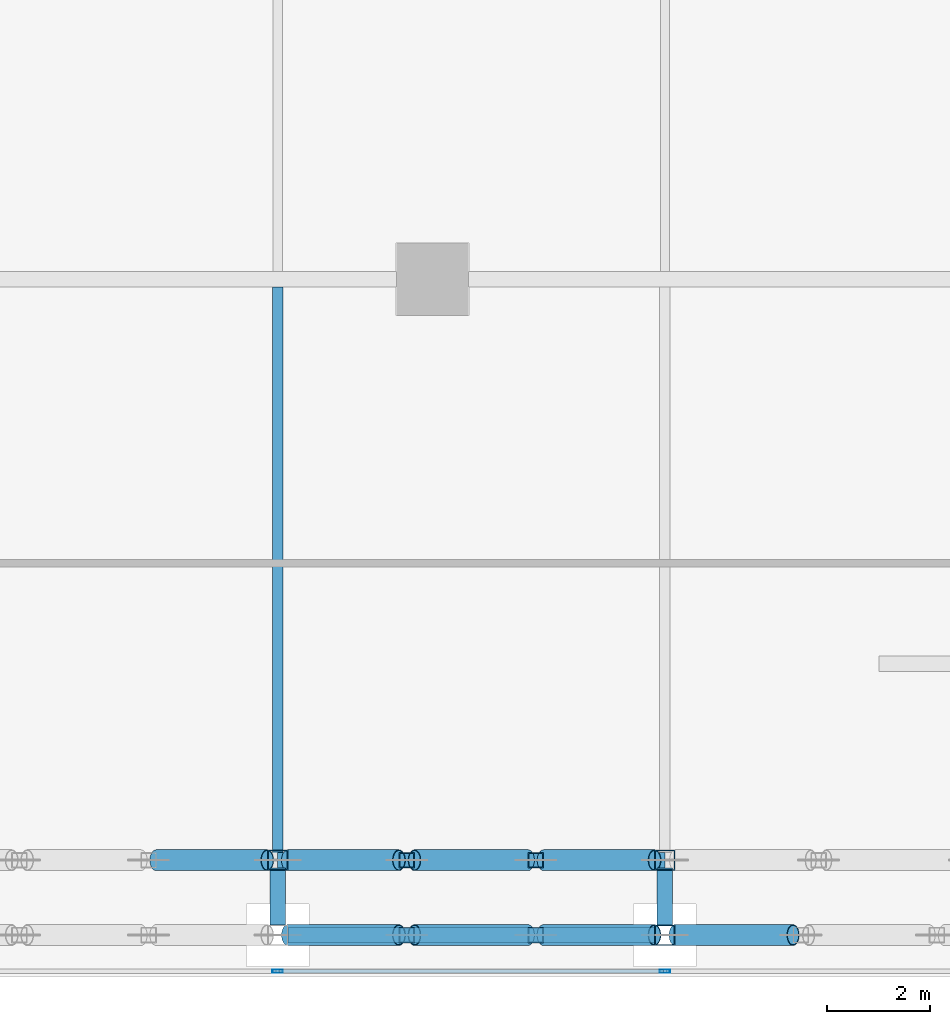
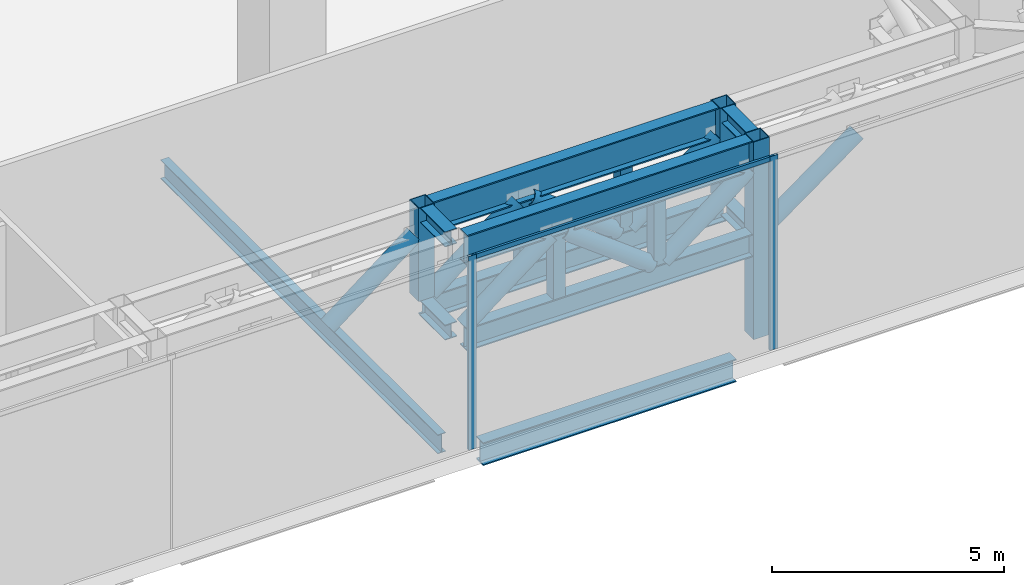
# One storey, part 8 of 39: 22 members, 6 beams, 1 element without a shape of its own.
"""IFC4 building model written with IfcOpenShell, lengths in metres."""

from ifc_helpers import new_model, si_unit, direction, frame, origin, origin_2d, place, context, subcontext, project, spatial, hollow_rectangle, hollow_circle, i_section, extrude, source, transform, mapped, material, material_profile, profile_set, type_object, element, aggregate, save


model = new_model("IFC4")

# Units and contexts
model_context = context("Model", 3, precision=1e-05, world=origin(), true_north=direction((0.0, 1.0)))
body_context = subcontext(model_context, "Body", "Model", "MODEL_VIEW")
ifc_project = project(units=[si_unit("LENGTHUNIT", "METRE"), si_unit("AREAUNIT", "SQUARE_METRE"), si_unit("VOLUMEUNIT", "CUBIC_METRE"), si_unit("PLANEANGLEUNIT", "RADIAN"), si_unit("MASSUNIT", "GRAM", prefix="KILO")], contexts=[model_context])

# Site, building, storey
site_placement = place(None, origin())
site = spatial("IfcSite", under=ifc_project, at=site_placement, CompositionType="ELEMENT")
building_placement = place(site_placement, origin())
building = spatial("IfcBuilding", under=site, at=building_placement, Name="Khomas Fold Tower", CompositionType="ELEMENT")
storey_placement = place(building_placement, frame((0.0, 0.0, 96.0)))
storey = spatial("IfcBuildingStorey", under=building, at=storey_placement, Name="L20", CompositionType="ELEMENT", Elevation=96.0)

# Beams
ifc_material_1 = material(Name="Steel S355", Category="steel")
ifc_material_profile_1 = material_profile(ifc_material_1, i_section(OverallWidth=0.300048828125, OverallDepth=0.60009765625, WebThickness=0.015380859375, FlangeThickness=0.030029296875, at=origin_2d()), Name="HE 600 B")
ifc_profile_set_1 = profile_set([ifc_material_profile_1], Name="Steel S355")
beam_type_1 = type_object("IfcBeamType", Name="HE 600 B spandrel SB1", PredefinedType="SPANDREL", material=ifc_profile_set_1)
shared_shape_1 = source(origin(), body_context, "Body", "SweptSolid", [
    extrude(i_section(OverallWidth=0.300048828125, OverallDepth=0.60009765625, WebThickness=0.015380859375, FlangeThickness=0.030029296875, at=origin_2d()), origin(), (0.0, 0.0, 1.0), 6.2998046875),
])
beam_1_placement = place(storey_placement, frame((35.10009765625, 0.800048828125, -0.699951171875), z_axis=(1.0, 0.0, 0.0), x_axis=(0.0, 1.0, 0.0)))
element("IfcBeam", 1, at=beam_1_placement, inside=storey, type_object=beam_type_1, Name="SB1", PredefinedType="SPANDREL", context=body_context, shape_type="MappedRepresentation", body=[
    mapped(shared_shape_1, transform((0.0, 0.0, 0.0))),
])
ifc_material_2 = material(Name="Steel S355", Category="steel")
ifc_material_profile_2 = material_profile(ifc_material_2, i_section(OverallWidth=0.199951171875, OverallDepth=0.5, WebThickness=0.01025390625, FlangeThickness=0.01611328125, at=origin_2d()), Name="IPE 500")
ifc_profile_set_2 = profile_set([ifc_material_profile_2], Name="Steel S355")
beam_type_2 = type_object("IfcBeamType", Name="IPE 500 beam JB5", PredefinedType="BEAM", material=ifc_profile_set_2)
shared_shape_2 = source(origin(), body_context, "Body", "SweptSolid", [
    extrude(i_section(OverallWidth=0.199951171875, OverallDepth=0.5, WebThickness=0.01025390625, FlangeThickness=0.01611328125, at=origin_2d()), origin(), (0.0, 0.0, 1.0), 11.9501953125),
])
beam_2_placement = place(storey_placement, frame((34.5, 1.39990234375, -0.64990234375), z_axis=(0.0, 1.0, 0.0), x_axis=(-1.0, 0.0, 0.0)))
element("IfcBeam", 2, at=beam_2_placement, inside=storey, type_object=beam_type_2, Name="JB5", PredefinedType="BEAM", context=body_context, shape_type="MappedRepresentation", body=[
    mapped(shared_shape_2, transform((0.0, 0.0, 0.0))),
])

# Members
ifc_material_3 = material(Name="Steel S355", Category="steel")
ifc_material_profile_3 = material_profile(ifc_material_3, i_section(OverallWidth=0.300048828125, OverallDepth=0.60009765625, WebThickness=0.015380859375, FlangeThickness=0.030029296875, at=origin_2d()), Name="HE 600 B")
ifc_profile_set_3 = profile_set([ifc_material_profile_3], Name="Steel S355")
member_type_1 = type_object("IfcMemberType", Name="BELT TRUSS 1 BOTTOM CHORD HE 600 B", PredefinedType="CHORD", material=ifc_profile_set_3)
shared_shape_3 = source(origin(), body_context, "Body", "SweptSolid", [
    extrude(i_section(OverallWidth=0.300048828125, OverallDepth=0.60009765625, WebThickness=0.015380859375, FlangeThickness=0.030029296875, at=origin_2d()), origin(), (0.0, 0.0, 1.0), 7.5),
])
member_1_placement = place(storey_placement, frame((34.5, 2.25, 2.449951171875), z_axis=(1.0, 0.0, 0.0), x_axis=(0.0, 1.0, 0.0)))
element("IfcMember", 3, at=member_1_placement, inside=storey, type_object=member_type_1, Name="BT1-CB", PredefinedType="CHORD", context=body_context, shape_type="MappedRepresentation", body=[
    mapped(shared_shape_3, transform((0.0, 0.0, 0.0))),
])
ifc_material_4 = material(Name="Steel S355", Category="steel")
ifc_material_profile_4 = material_profile(ifc_material_4, hollow_circle(Radius=0.203125, WallThickness=0.01611328125, at=origin_2d()), Name="CHS 406.4x16")
ifc_profile_set_4 = profile_set([ifc_material_profile_4], Name="Steel S355")
member_type_2 = type_object("IfcMemberType", Name="BELT TRUSS 1 DIAGONAL CHS 406.4x16", PredefinedType="BRACE", material=ifc_profile_set_4)
shared_shape_4 = source(origin(), body_context, "Body", "SweptSolid", [
    extrude(hollow_circle(Radius=0.203125, WallThickness=0.01611328125, at=origin_2d()), origin(), (0.0, 0.0, 1.0), 2.822998046875),
])
member_2_placement = place(storey_placement, frame((42.199951171875, 0.800048828125, 2.7451171875), z_axis=(0.808866956084, 0.0, 0.587991706876), x_axis=(0.0, 1.0, 0.0)))
element("IfcMember", 4, at=member_2_placement, inside=storey, type_object=member_type_2, Name="BT1-D", PredefinedType="BRACE", context=body_context, shape_type="MappedRepresentation", body=[
    mapped(shared_shape_4, transform((0.0, 0.0, 0.0))),
])
ifc_material_5 = material(Name="Steel S355", Category="steel")
ifc_material_profile_5 = material_profile(ifc_material_5, hollow_rectangle(XDim=0.300048828125, YDim=0.300048828125, WallThickness=0.01611328125, at=origin_2d()), Name="SHS 300x300x16")
ifc_profile_set_5 = profile_set([ifc_material_profile_5], Name="Steel S355")
member_type_3 = type_object("IfcMemberType", Name="BELT TRUSS 1 MID POST SHS 300x300x16", PredefinedType="POST", material=ifc_profile_set_5)
shared_shape_5 = source(origin(), body_context, "Body", "SweptSolid", [
    extrude(hollow_rectangle(XDim=0.300048828125, YDim=0.300048828125, WallThickness=0.01611328125, at=origin_2d()), origin(), (0.0, 0.0, 1.0), 1.64990234375),
])
for number, where, z_axis, x_axis, name in (
    (5, (37.0, 0.800048828125, 2.75), (0.0, 0.0, 1.0), (1.0, 0.0, 0.0), "BT1-M"),
    (6, (39.5, 0.800048828125, 2.75), (0.0, 0.0, 1.0), (1.0, 0.0, 0.0), "BT1-M"),
    (7, (37.0, 2.25, 2.75), (0.0, 0.0, 1.0), (1.0, 0.0, 0.0), "BT1-M"),
    (8, (39.5, 2.25, 2.75), (0.0, 0.0, 1.0), (1.0, 0.0, 0.0), "BT1-M"),
):
    element("IfcMember", number, at=place(storey_placement, frame(where, z_axis=z_axis, x_axis=x_axis)), inside=storey, type_object=member_type_3, Name=name, PredefinedType="POST", context=body_context, shape_type="MappedRepresentation", body=[
        mapped(shared_shape_5, transform((0.0, 0.0, 0.0))),
    ])
ifc_material_6 = material(Name="Steel S460M", Category="steel")
ifc_material_profile_6 = material_profile(ifc_material_6, i_section(OverallWidth=0.300048828125, OverallDepth=0.800048828125, WebThickness=0.017578125, FlangeThickness=0.032958984375, at=origin_2d()), Name="HE 800 B")
ifc_profile_set_6 = profile_set([ifc_material_profile_6], Name="Steel S460M")
member_type_4 = type_object("IfcMemberType", Name="BELT TRUSS 1 TOP CHORD HE 800 B", PredefinedType="CHORD", material=ifc_profile_set_6)
shared_shape_6 = source(origin(), body_context, "Body", "SweptSolid", [
    extrude(i_section(OverallWidth=0.300048828125, OverallDepth=0.800048828125, WebThickness=0.017578125, FlangeThickness=0.032958984375, at=origin_2d()), origin(), (0.0, 0.0, 1.0), 7.10009765625),
])
for number, where, z_axis, x_axis, name in (
    (9, (34.699951171875, 0.800048828125, 4.800048828125), (1.0, 0.0, 0.0), (0.0, 1.0, 0.0), "BT1-CT"),
    (10, (34.699951171875, 2.25, 4.800048828125), (1.0, 0.0, 0.0), (0.0, 1.0, 0.0), "BT1-CT"),
):
    element("IfcMember", number, at=place(storey_placement, frame(where, z_axis=z_axis, x_axis=x_axis)), inside=storey, type_object=member_type_4, Name=name, PredefinedType="CHORD", context=body_context, shape_type="MappedRepresentation", body=[
        mapped(shared_shape_6, transform((0.0, 0.0, 0.0))),
    ])
shared_shape_7 = source(origin(), body_context, "Body", "SweptSolid", [
    extrude(i_section(OverallWidth=0.300048828125, OverallDepth=0.60009765625, WebThickness=0.015380859375, FlangeThickness=0.030029296875, at=origin_2d()), origin(), (0.0, 0.0, 1.0), 7.10009765625),
])
member_3_placement = place(storey_placement, frame((34.699951171875, 0.800048828125, 2.449951171875), z_axis=(1.0, 0.0, 0.0), x_axis=(0.0, 1.0, 0.0)))
element("IfcMember", 11, at=member_3_placement, inside=storey, type_object=member_type_1, Name="BT1-CB", PredefinedType="CHORD", context=body_context, shape_type="MappedRepresentation", body=[
    mapped(shared_shape_7, transform((0.0, 0.0, 0.0))),
])
shared_shape_8 = source(origin(), body_context, "Body", "SweptSolid", [
    extrude(hollow_circle(Radius=0.203125, WallThickness=0.01611328125, at=origin_2d()), origin(), (0.0, 0.0, 1.0), 2.71630859375),
])
for number, where, z_axis, x_axis, name in (
    (12, (34.699951171875, 0.800048828125, 2.7451171875), (0.791563625226, 0.0, 0.611086759159), (0.0, 1.0, 0.0), "BT1-D"),
    (13, (39.64990234375, 0.800048828125, 2.7451171875), (0.791563625226, 0.0, 0.611086759159), (0.0, 1.0, 0.0), "BT1-D"),
    (14, (32.14990234375, 2.25, 2.7451171875), (0.791563625226, 0.0, 0.611086759159), (0.0, 1.0, 0.0), "BT1-D"),
    (15, (34.699951171875, 2.25, 2.7451171875), (0.791563625226, 0.0, 0.611086759159), (0.0, 1.0, 0.0), "BT1-D"),
    (16, (39.64990234375, 2.25, 2.7451171875), (0.791563625226, 0.0, 0.611086759159), (0.0, 1.0, 0.0), "BT1-D"),
):
    element("IfcMember", number, at=place(storey_placement, frame(where, z_axis=z_axis, x_axis=x_axis)), inside=storey, type_object=member_type_2, Name=name, PredefinedType="BRACE", context=body_context, shape_type="MappedRepresentation", body=[
        mapped(shared_shape_8, transform((0.0, 0.0, 0.0))),
    ])
shared_shape_9 = source(origin(), body_context, "Body", "SweptSolid", [
    extrude(hollow_circle(Radius=0.203125, WallThickness=0.01611328125, at=origin_2d()), origin(), (0.0, 0.0, 1.0), 2.756103515625),
])
for number, where, z_axis, x_axis, name in (
    (17, (37.14990234375, 0.800048828125, 4.405029296875), (0.798296022167, 0.0, -0.602265274602), (0.0, 1.0, 0.0), "BT1-D"),
    (18, (37.14990234375, 2.25, 4.405029296875), (0.798296022167, 0.0, -0.602265274602), (0.0, 1.0, 0.0), "BT1-D"),
):
    element("IfcMember", number, at=place(storey_placement, frame(where, z_axis=z_axis, x_axis=x_axis)), inside=storey, type_object=member_type_2, Name=name, PredefinedType="BRACE", context=body_context, shape_type="MappedRepresentation", body=[
        mapped(shared_shape_9, transform((0.0, 0.0, 0.0))),
    ])
ifc_material_7 = material(Name="Steel S460M", Category="steel")
ifc_material_profile_7 = material_profile(ifc_material_7, hollow_rectangle(XDim=0.39990234375, YDim=0.39990234375, WallThickness=0.02001953125, at=origin_2d()), Name="SHS 400x400x20")
ifc_profile_set_7 = profile_set([ifc_material_profile_7], Name="Steel S460M")
member_type_5 = type_object("IfcMemberType", Name="BELT TRUSS 1 COLUMN POST LONG SHS 400x400x20", PredefinedType="POST", material=ifc_profile_set_7)
shared_shape_10 = source(origin(), body_context, "Body", "SweptSolid", [
    extrude(hollow_rectangle(XDim=0.39990234375, YDim=0.39990234375, WallThickness=0.02001953125, at=origin_2d()), origin(), (0.0, 0.0, 1.0), 5.199951171875),
])
member_4_placement = place(storey_placement, frame((42.0, 0.800048828125, 0.0), z_axis=(0.0, 0.0, 1.0), x_axis=(1.0, 0.0, 0.0)))
element("IfcMember", 19, at=member_4_placement, inside=storey, type_object=member_type_5, Name="BT1-PL", PredefinedType="POST", context=body_context, shape_type="MappedRepresentation", body=[
    mapped(shared_shape_10, transform((0.0, 0.0, 0.0))),
])
ifc_material_8 = material(Name="Steel S460M", Category="steel")
ifc_material_profile_8 = material_profile(ifc_material_8, hollow_rectangle(XDim=0.39990234375, YDim=0.39990234375, WallThickness=0.02001953125, at=origin_2d()), Name="SHS 400x400x20")
ifc_profile_set_8 = profile_set([ifc_material_profile_8], Name="Steel S460M")
member_type_6 = type_object("IfcMemberType", Name="BELT TRUSS 1 COLUMN POST SHS 400x400x20", PredefinedType="POST", material=ifc_profile_set_8)
shared_shape_11 = source(origin(), body_context, "Body", "SweptSolid", [
    extrude(hollow_rectangle(XDim=0.39990234375, YDim=0.39990234375, WallThickness=0.02001953125, at=origin_2d()), origin(), (0.0, 0.0, 1.0), 2.449951171875),
])
for number, where, z_axis, x_axis, name in (
    (20, (34.5, 2.25, 2.75), (0.0, 0.0, 1.0), (1.0, 0.0, 0.0), "BT1-P"),
    (21, (42.0, 2.25, 2.75), (0.0, 0.0, 1.0), (1.0, 0.0, 0.0), "BT1-P"),
):
    element("IfcMember", number, at=place(storey_placement, frame(where, z_axis=z_axis, x_axis=x_axis)), inside=storey, type_object=member_type_6, Name=name, PredefinedType="POST", context=body_context, shape_type="MappedRepresentation", body=[
        mapped(shared_shape_11, transform((0.0, 0.0, 0.0))),
    ])

# Beams
ifc_material_9 = material(Name="Steel S355", Category="steel")
ifc_material_profile_9 = material_profile(ifc_material_9, i_section(OverallWidth=0.300048828125, OverallDepth=0.39990234375, WebThickness=0.013427734375, FlangeThickness=0.02392578125, at=origin_2d()), Name="HE 400 B")
ifc_profile_set_9 = profile_set([ifc_material_profile_9], Name="Steel S355")
beam_type_3 = type_object("IfcBeamType", Name="BELT TRUSS 1 TOP STRUT HE 400 B", PredefinedType="BEAM", material=ifc_profile_set_9)
shared_shape_12 = source(origin(), body_context, "Body", "SweptSolid", [
    extrude(i_section(OverallWidth=0.300048828125, OverallDepth=0.39990234375, WebThickness=0.013427734375, FlangeThickness=0.02392578125, at=origin_2d()), origin(), (0.0, 0.0, 1.0), 1.050048828125),
])
for number, where, z_axis, x_axis, name in (
    (22, (34.5, 2.050048828125, 5.0), (0.0, -1.0, 0.0), (1.0, 0.0, 0.0), "BT1-ST"),
    (23, (42.0, 2.050048828125, 5.0), (0.0, -1.0, 0.0), (1.0, 0.0, 0.0), "BT1-ST"),
):
    element("IfcBeam", number, at=place(storey_placement, frame(where, z_axis=z_axis, x_axis=x_axis)), inside=storey, type_object=beam_type_3, Name=name, PredefinedType="BEAM", context=body_context, shape_type="MappedRepresentation", body=[
        mapped(shared_shape_12, transform((0.0, 0.0, 0.0))),
    ])
ifc_material_10 = material(Name="Steel S355", Category="steel")
ifc_material_profile_10 = material_profile(ifc_material_10, i_section(OverallWidth=0.300048828125, OverallDepth=0.39990234375, WebThickness=0.013427734375, FlangeThickness=0.02392578125, at=origin_2d()), Name="HE 400 B")
ifc_profile_set_10 = profile_set([ifc_material_profile_10], Name="Steel S355")
beam_type_4 = type_object("IfcBeamType", Name="BELT TRUSS 1 BOTTOM STRUT HE 400 B", PredefinedType="BEAM", material=ifc_profile_set_10)
shared_shape_13 = source(origin(), body_context, "Body", "SweptSolid", [
    extrude(i_section(OverallWidth=0.300048828125, OverallDepth=0.39990234375, WebThickness=0.013427734375, FlangeThickness=0.02392578125, at=origin_2d()), origin(), (0.0, 0.0, 1.0), 1.10009765625),
])
for number, where, z_axis, x_axis, name in (
    (24, (34.5, 2.10009765625, 2.550048828125), (0.0, -1.0, 0.0), (1.0, 0.0, 0.0), "BT1-SB"),
    (25, (42.0, 2.10009765625, 2.550048828125), (0.0, -1.0, 0.0), (1.0, 0.0, 0.0), "BT1-SB"),
):
    element("IfcBeam", number, at=place(storey_placement, frame(where, z_axis=z_axis, x_axis=x_axis)), inside=storey, type_object=beam_type_4, Name=name, PredefinedType="BEAM", context=body_context, shape_type="MappedRepresentation", body=[
        mapped(shared_shape_13, transform((0.0, 0.0, 0.0))),
    ])

# Curtain wall, members
ifc_material_11 = material(Name="Aluminium framed double glazing", Category="aluminium")
curtain_wall_type = type_object("IfcCurtainWallType", Name="SK-Plant louvre wall CW4", PredefinedType="NOTDEFINED", material=ifc_material_11)
curtain_wall_placement = place(storey_placement, origin())
curtain_wall = element("IfcCurtainWall", 26, at=curtain_wall_placement, inside=storey, type_object=curtain_wall_type, Name="CW4 run L20 00-0", PredefinedType="NOTDEFINED")
ifc_material_12 = material(Name="Aluminium", Category="aluminium")
ifc_material_profile_11 = material_profile(ifc_material_12, hollow_rectangle(XDim=0.06005859375, YDim=0.199951171875, WallThickness=0.00390625, at=origin_2d()), Name="SK-Plant louvre wall mullion CW4-M")
ifc_profile_set_11 = profile_set([ifc_material_profile_11], Name="Aluminium")
member_type_7 = type_object("IfcMemberType", Name="SK-Plant louvre wall mullion CW4-M", PredefinedType="MULLION", material=ifc_profile_set_11)
shared_shape_14 = source(origin(), body_context, "Body", "SweptSolid", [
    extrude(hollow_rectangle(XDim=0.06005859375, YDim=0.199951171875, WallThickness=0.00390625, at=origin_2d()), origin(), (0.0, 0.0, 1.0), 5.10009765625),
])
member_5_placement = place(storey_placement, frame((34.5, 0.10009765625, 0.0), z_axis=(0.0, 0.0, 1.0), x_axis=(0.0, 1.0, 0.0)))
member_5 = element("IfcMember", 27, at=member_5_placement, type_object=member_type_7, Name="CW4 mullion 6", PredefinedType="MULLION", context=body_context, shape_type="MappedRepresentation", body=[
    mapped(shared_shape_14, transform((0.0, 0.0, 0.0))),
])
member_6_placement = place(storey_placement, frame((42.0, 0.10009765625, 0.0), z_axis=(0.0, 0.0, 1.0), x_axis=(0.0, 1.0, 0.0)))
member_6 = element("IfcMember", 28, at=member_6_placement, type_object=member_type_7, Name="CW4 mullion 7", PredefinedType="MULLION", context=body_context, shape_type="MappedRepresentation", body=[
    mapped(shared_shape_14, transform((0.0, 0.0, 0.0))),
])
ifc_material_13 = material(Name="Aluminium", Category="aluminium")
ifc_material_profile_12 = material_profile(ifc_material_13, hollow_rectangle(XDim=0.06005859375, YDim=0.1201171875, WallThickness=0.00390625, at=origin_2d()), Name="SK-Plant louvre wall transom CW4-T")
ifc_profile_set_12 = profile_set([ifc_material_profile_12], Name="Aluminium")
member_type_8 = type_object("IfcMemberType", Name="SK-Plant louvre wall transom CW4-T", PredefinedType="USERDEFINED", material=ifc_profile_set_12)
shared_shape_15 = source(origin(), body_context, "Body", "SweptSolid", [
    extrude(hollow_rectangle(XDim=0.06005859375, YDim=0.1201171875, WallThickness=0.00390625, at=origin_2d()), origin(), (0.0, 0.0, 1.0), 7.43994140625),
])
member_7_placement = place(storey_placement, frame((34.530029296875, 0.10009765625, 5.0400390625), z_axis=(1.0, 0.0, 0.0), x_axis=(0.0, 1.0, 0.0)))
member_7 = element("IfcMember", 29, at=member_7_placement, type_object=member_type_8, Name="CW4 transom 6", ObjectType="TRANSOM", PredefinedType="USERDEFINED", context=body_context, shape_type="MappedRepresentation", body=[
    mapped(shared_shape_15, transform((0.0, 0.0, 0.0))),
])
aggregate(curtain_wall, [member_5, member_6, member_7])

save(model, "model.ifc")
